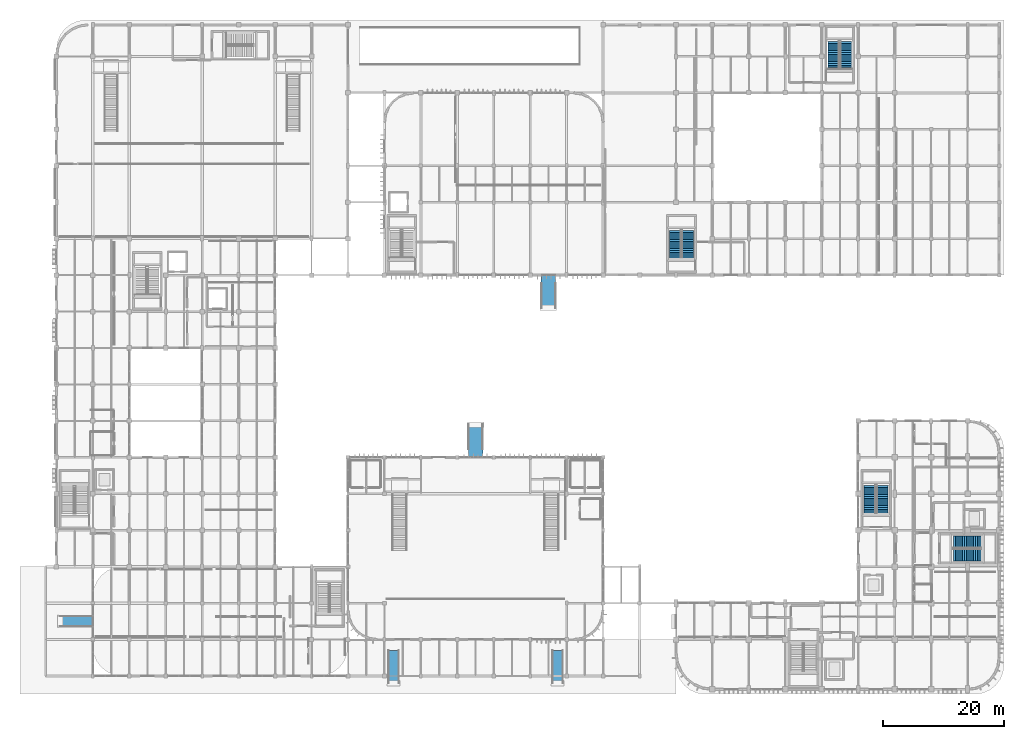
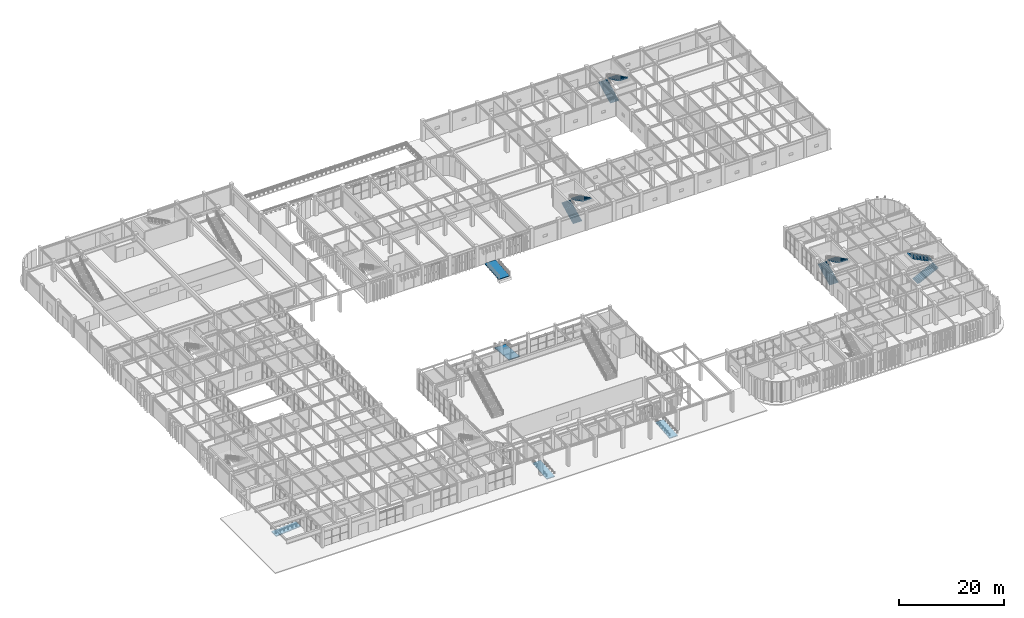
# One storey, part 55 of 76: 8 stair flights, 5 ramp flights, 9 elements without a shape of their own.
"""IFC4 building model written with IfcOpenShell, lengths in metres."""

import ifcopenshell
import ifcopenshell.guid

model = None  # the IFC model being written
_history = None  # IfcOwnerHistory: only IFC2X3 demands one
_inside = {}  # id of a spatial element -> (the spatial element, [elements in it])
_under = {}  # id of a project, library or spatial element -> (it, [spatial elements below it])
_declared = {}  # id of a project -> (the project, [libraries it declares])
_typed = {}  # id of a type object -> (the type object, [elements of that type])
_made_of = {}  # id of a material, layer set ... -> (it, [elements and type objects made of it])


def new_model(schema):
    """Start an empty IFC model of exactly this schema.

    Asked for "IFC4X3", IfcOpenShell would pick the latest addendum, in which some entities
    have other attributes; the version numbers below select the first issue.
    IFC2X3 requires an IfcOwnerHistory on every rooted entity: one is made here for all.
    """
    global model, _history
    if schema == "IFC4X3":
        model = ifcopenshell.file(schema_version=(4, 3, 0, 0))
    else:
        model = ifcopenshell.file(schema=schema)
    _inside.clear()
    _under.clear()
    _declared.clear()
    _typed.clear()
    _made_of.clear()
    _history = None
    if model.schema == "IFC2X3":
        org = make("IfcOrganization", Name="unknown")
        user = make(
            "IfcPersonAndOrganization",
            ThePerson=make("IfcPerson", FamilyName="unknown"),
            TheOrganization=org,
        )
        app = make(
            "IfcApplication",
            ApplicationDeveloper=org,
            Version="unknown",
            ApplicationFullName="unknown",
            ApplicationIdentifier="unknown",
        )
        _history = make(
            "IfcOwnerHistory",
            OwningUser=user,
            OwningApplication=app,
            ChangeAction="ADDED",
            CreationDate=0,
        )
    return model


def make(cls, **values):
    """One entity of the class cls with the attributes given. An attribute that is None is left unset."""
    return model.create_entity(
        cls, **{name: value for name, value in values.items() if value is not None}
    )


def rooted(cls, **values):
    """An entity with a GlobalId (a new one), such as an element, a storey or a relation."""
    return make(cls, GlobalId=ifcopenshell.guid.new(), OwnerHistory=_history, **values)


def si_unit(unit_type, name, prefix=None):
    """IfcSIUnit, for example si_unit("LENGTHUNIT", "METRE", prefix="MILLI")."""
    return make("IfcSIUnit", UnitType=unit_type, Prefix=prefix, Name=name)


def assignment(units):
    """IfcUnitAssignment: the units of a project."""
    return None if units is None else make("IfcUnitAssignment", Units=units)


def point(xyz):
    """IfcCartesianPoint."""
    return None if xyz is None else make("IfcCartesianPoint", Coordinates=xyz)


def direction(xyz):
    """IfcDirection."""
    return None if xyz is None else make("IfcDirection", DirectionRatios=xyz)


def frame(location, z_axis=None, x_axis=None):
    """IfcAxis2Placement3D, a coordinate frame: its origin and axes. An axis left out is left unset."""
    return make(
        "IfcAxis2Placement3D",
        Location=point(location),
        Axis=direction(z_axis),
        RefDirection=direction(x_axis),
    )


def origin():
    """The frame at (0, 0, 0) with its axes left unset."""
    return frame((0.0, 0.0, 0.0))


def place(relative_to, where):
    """IfcLocalPlacement: puts the frame where relative to a parent placement (None: the world)."""
    return make(
        "IfcLocalPlacement", PlacementRelTo=relative_to, RelativePlacement=where
    )


def context(
    kind, dimensions, precision=None, world=None, true_north=None, identifier=None
):
    """IfcGeometricRepresentationContext, for example the 3D "Model" context."""
    return make(
        "IfcGeometricRepresentationContext",
        ContextIdentifier=identifier,
        ContextType=kind,
        CoordinateSpaceDimension=dimensions,
        Precision=precision,
        WorldCoordinateSystem=world,
        TrueNorth=true_north,
    )


def subcontext(parent, identifier, kind, view, scale=None):
    """IfcGeometricRepresentationSubContext, for example "Body" below "Model"."""
    return make(
        "IfcGeometricRepresentationSubContext",
        ContextIdentifier=identifier,
        ContextType=kind,
        ParentContext=parent,
        TargetScale=scale,
        TargetView=view,
    )


def project(units=None, contexts=None):
    """IfcProject with its units and contexts."""
    return rooted(
        "IfcProject",
        Name="project",
        RepresentationContexts=contexts,
        UnitsInContext=assignment(units),
    )


def spatial(cls, under=None, at=None, **own):
    """A site, building, storey or space (cls), placed at a placement, below another one or the project."""
    s = rooted(cls, ObjectPlacement=at, **own)
    if under is not None:
        _under.setdefault(under.id(), (under, []))[1].append(s)
    return s


def polyline(points):
    """IfcPolyline through the points."""
    return make("IfcPolyline", Points=[point(p) for p in points])


def outline(outer, holes=None, kind="AREA"):
    """IfcArbitraryClosedProfileDef: a profile drawn as a closed curve; with holes, ...WithVoids."""
    if holes is None:
        return make("IfcArbitraryClosedProfileDef", ProfileType=kind, OuterCurve=outer)
    return make(
        "IfcArbitraryProfileDefWithVoids",
        ProfileType=kind,
        OuterCurve=outer,
        InnerCurves=holes,
    )


def extrude(swept, where, along, depth):
    """IfcExtrudedAreaSolid: the profile swept, set in the frame where, extruded along a direction by depth."""
    return make(
        "IfcExtrudedAreaSolid",
        SweptArea=swept,
        Position=where,
        ExtrudedDirection=direction(along),
        Depth=depth,
    )


def shape(context_of_items, identifier, shape_type, items):
    """IfcShapeRepresentation: the items that make up one representation, for example the "Body"."""
    return make(
        "IfcShapeRepresentation",
        ContextOfItems=context_of_items,
        RepresentationIdentifier=identifier,
        RepresentationType=shape_type,
        Items=items,
    )


def material(Name=None, Category=None):
    """IfcMaterial."""
    return make("IfcMaterial", Name=Name, Category=Category)


def layer(
    of_material, thickness, ventilated=None, Name=None, Category=None, Priority=None
):
    """IfcMaterialLayer: one layer of a wall or slab, of a material (None: an air gap)."""
    return make(
        "IfcMaterialLayer",
        Material=of_material,
        LayerThickness=thickness,
        IsVentilated=ventilated,
        Name=Name,
        Category=Category,
        Priority=Priority,
    )


def layer_set(layers, Name=None):
    """IfcMaterialLayerSet."""
    return make("IfcMaterialLayerSet", MaterialLayers=layers, LayerSetName=Name)


def made_of(thing, what):
    """Note that an element or type object is made of a material, layer set ...; save() writes the relation."""
    if what is not None:
        _made_of.setdefault(what.id(), (what, []))[1].append(thing)
    return thing


def type_object(cls, material=None, **own):
    """A type object (cls), such as IfcWallType, which elements share."""
    return made_of(rooted(cls, **own), material)


def element(
    cls,
    number,
    at=None,
    inside=None,
    cuts=None,
    type_object=None,
    material=None,
    context=None,
    identifier="Body",
    shape_type=None,
    held_by="IfcProductDefinitionShape",
    body=None,
    shapes=None,
    **own,
):
    """One element of the class cls, such as IfcWall. Its Tag is "e" and its number.

    at: its placement. inside: the storey or other place that contains it. cuts: it is an
    opening in that element (IfcRelVoidsElement). A single representation is given by context,
    identifier, shape_type and body (its items); several are given by shapes. held_by: the class
    of the entity that holds the representations. save() writes the other relations.
    """
    e = rooted(cls, Tag="e%d" % number, ObjectPlacement=at, **own)
    if body is not None:
        shapes = [shape(context, identifier, shape_type, body)]
    if shapes is not None:
        e.Representation = make(held_by, Representations=shapes)
    if inside is not None:
        _inside.setdefault(inside.id(), (inside, []))[1].append(e)
    if cuts is not None:
        rooted(
            "IfcRelVoidsElement", RelatingBuildingElement=cuts, RelatedOpeningElement=e
        )
    if type_object is not None:
        _typed.setdefault(type_object.id(), (type_object, []))[1].append(e)
    return made_of(e, material)


def aggregate(whole, parts):
    """IfcRelAggregates: a whole, such as a stair, and the parts it consists of."""
    return rooted("IfcRelAggregates", RelatingObject=whole, RelatedObjects=parts)


def save(model, path):
    """Write the relations noted so far, then the file.

    IfcRelAggregates (storeys below a building ...), IfcRelContainedInSpatialStructure (elements
    in a storey), IfcRelDefinesByType, IfcRelAssociatesMaterial and IfcRelDeclares: one each for
    every whole, place, type object, material and project.
    """
    for whole, parts in _under.values():
        aggregate(whole, parts)
    for where, things in _inside.values():
        rooted(
            "IfcRelContainedInSpatialStructure",
            RelatedElements=things,
            RelatingStructure=where,
        )
    for kind, things in _typed.values():
        rooted("IfcRelDefinesByType", RelatedObjects=things, RelatingType=kind)
    for what, things in _made_of.values():
        rooted("IfcRelAssociatesMaterial", RelatedObjects=things, RelatingMaterial=what)
    for by, libraries in _declared.values():
        rooted("IfcRelDeclares", RelatingContext=by, RelatedDefinitions=libraries)
    model.write(path)


model = new_model("IFC4")

# Units and contexts
model_context = context("Model", 3, precision=1e-05, world=origin(), true_north=direction((0.0, 1.0)))
body_context = subcontext(model_context, "Body", "Model", "MODEL_VIEW")
ifc_project = project(units=[si_unit("LENGTHUNIT", "METRE"), si_unit("AREAUNIT", "SQUARE_METRE"), si_unit("VOLUMEUNIT", "CUBIC_METRE"), si_unit("PLANEANGLEUNIT", "RADIAN"), si_unit("MASSUNIT", "GRAM", prefix="KILO")], contexts=[model_context])

# Site, building, storey
site_placement = place(None, origin())
site = spatial("IfcSite", under=ifc_project, at=site_placement, CompositionType="ELEMENT")
building_placement = place(site_placement, origin())
building = spatial("IfcBuilding", under=site, at=building_placement, Name="Varnakota Square Police Headquarters", CompositionType="ELEMENT")
storey_placement = place(building_placement, origin())
storey = spatial("IfcBuildingStorey", under=building, at=storey_placement, Name="L00", CompositionType="ELEMENT", Elevation=0.0)

# Stair, stair flights
ifc_material = material(Name="Concrete M40", Category="concrete")
stair_type_1 = type_object("IfcStairType", Name="STR-DOG-1850", PredefinedType="USERDEFINED", material=ifc_material)
stair_1_placement = place(storey_placement, origin())
stair_1 = element("IfcStair", 1, at=stair_1_placement, inside=storey, type_object=stair_type_1, Name="Protected exit stair ST8 (L00)", ObjectType="TWO_RETURN_STAIR", PredefinedType="USERDEFINED")
stair_flight_type_1 = type_object("IfcStairFlightType", Name="SFL-DOG-1850", PredefinedType="STRAIGHT", material=ifc_material)
stair_flight_1_placement = place(storey_placement, frame((133.945068359375, 102.949951171875, 0.0), z_axis=(0.0, 0.0, 1.0), x_axis=(0.0, 1.0, 0.0)))
stair_flight_1 = element("IfcStairFlight", 2, at=stair_flight_1_placement, type_object=stair_flight_type_1, Name="ST8-L00 flight 1", NumberOfRisers=16, NumberOfTreads=15, PredefinedType="STRAIGHT", RiserHeight=0.15, TreadLength=0.3, context=body_context, shape_type="SweptSolid", body=[
    extrude(outline(polyline([(0.0, 0.0), (0.0, 0.14990234375), (0.300048828125, 0.14990234375), (0.300048828125, 0.300048828125), (0.60009765625, 0.300048828125), (0.60009765625, 0.449951171875), (0.900146484375, 0.449951171875), (0.900146484375, 0.60009765625), (1.2001953125, 0.60009765625), (1.2001953125, 0.75), (1.500244140625, 0.75), (1.500244140625, 0.89990234375), (1.80029296875, 0.89990234375), (1.80029296875, 1.050048828125), (2.100341796875, 1.050048828125), (2.100341796875, 1.199951171875), (2.400390625, 1.199951171875), (2.400390625, 1.35009765625), (2.700439453125, 1.35009765625), (2.700439453125, 1.5), (3.00048828125, 1.5), (3.00048828125, 1.64990234375), (3.300537109375, 1.64990234375), (3.300537109375, 1.800048828125), (3.6005859375, 1.800048828125), (3.6005859375, 1.949951171875), (3.900634765625, 1.949951171875), (3.900634765625, 2.10009765625), (4.20068359375, 2.10009765625), (4.20068359375, 2.25), (4.500732421875, 2.25), (4.500732421875, 2.39990234375), (4.500732421875, 2.048828125), (0.40234375, 0.0), (0.0, 0.0)])), frame((0.0, 0.925048828125, 0.0), z_axis=(0.0, -1.0, 0.0), x_axis=(1.0, 0.0, 0.0)), (0.0, 0.0, 1.0), 1.85009765625),
])
stair_flight_2_placement = place(storey_placement, frame((135.955078125, 107.45068359375, 2.39990234375), z_axis=(0.0, 0.0, 1.0), x_axis=(0.0, -1.0, 0.0)))
stair_flight_2 = element("IfcStairFlight", 3, at=stair_flight_2_placement, type_object=stair_flight_type_1, Name="ST8-L00 flight 2", NumberOfRisers=16, NumberOfTreads=15, PredefinedType="STRAIGHT", RiserHeight=0.15, TreadLength=0.3, context=body_context, shape_type="SweptSolid", body=[
    extrude(outline(polyline([(0.0, 0.0), (0.0, 0.14990234375), (0.300048828125, 0.14990234375), (0.300048828125, 0.300048828125), (0.60009765625, 0.300048828125), (0.60009765625, 0.449951171875), (0.900146484375, 0.449951171875), (0.900146484375, 0.60009765625), (1.2001953125, 0.60009765625), (1.2001953125, 0.75), (1.500244140625, 0.75), (1.500244140625, 0.89990234375), (1.80029296875, 0.89990234375), (1.80029296875, 1.050048828125), (2.100341796875, 1.050048828125), (2.100341796875, 1.199951171875), (2.400390625, 1.199951171875), (2.400390625, 1.35009765625), (2.700439453125, 1.35009765625), (2.700439453125, 1.5), (3.00048828125, 1.5), (3.00048828125, 1.64990234375), (3.300537109375, 1.64990234375), (3.300537109375, 1.800048828125), (3.6005859375, 1.800048828125), (3.6005859375, 1.949951171875), (3.900634765625, 1.949951171875), (3.900634765625, 2.10009765625), (4.20068359375, 2.10009765625), (4.20068359375, 2.25), (4.500732421875, 2.25), (4.500732421875, 2.39990234375), (4.500732421875, 2.048828125), (0.40234375, 0.0), (0.0, 0.0)])), frame((0.0, 0.925048828125, 0.0), z_axis=(0.0, -1.0, 0.0), x_axis=(1.0, 0.0, 0.0)), (0.0, 0.0, 1.0), 1.85009765625),
])
aggregate(stair_1, [stair_flight_1, stair_flight_2])

stair_type_2 = type_object("IfcStairType", Name="STR-DOG-1900", PredefinedType="USERDEFINED", material=ifc_material)
stair_2_placement = place(storey_placement, origin())
stair_2 = element("IfcStair", 4, at=stair_2_placement, inside=storey, type_object=stair_type_2, Name="Protected exit stair ST3 (L00)", ObjectType="TWO_RETURN_STAIR", PredefinedType="USERDEFINED")
stair_flight_type_2 = type_object("IfcStairFlightType", Name="SFL-DOG-1900", PredefinedType="STRAIGHT", material=ifc_material)
stair_flight_3_placement = place(storey_placement, frame((139.919921875, 29.85009765625, 0.0), z_axis=(0.0, 0.0, 1.0), x_axis=(0.0, 1.0, 0.0)))
stair_flight_3 = element("IfcStairFlight", 5, at=stair_flight_3_placement, type_object=stair_flight_type_2, Name="ST3-L00 flight 1", NumberOfRisers=16, NumberOfTreads=15, PredefinedType="STRAIGHT", RiserHeight=0.15, TreadLength=0.3, context=body_context, shape_type="SweptSolid", body=[
    extrude(outline(polyline([(0.0, 0.0), (0.0, 0.14990234375), (0.300048828125, 0.14990234375), (0.300048828125, 0.300048828125), (0.60009765625, 0.300048828125), (0.60009765625, 0.449951171875), (0.900146484375, 0.449951171875), (0.900146484375, 0.60009765625), (1.2001953125, 0.60009765625), (1.2001953125, 0.75), (1.500244140625, 0.75), (1.500244140625, 0.89990234375), (1.80029296875, 0.89990234375), (1.80029296875, 1.050048828125), (2.100341796875, 1.050048828125), (2.100341796875, 1.199951171875), (2.400390625, 1.199951171875), (2.400390625, 1.35009765625), (2.700439453125, 1.35009765625), (2.700439453125, 1.5), (3.00048828125, 1.5), (3.00048828125, 1.64990234375), (3.300537109375, 1.64990234375), (3.300537109375, 1.800048828125), (3.6005859375, 1.800048828125), (3.6005859375, 1.949951171875), (3.900634765625, 1.949951171875), (3.900634765625, 2.10009765625), (4.20068359375, 2.10009765625), (4.20068359375, 2.25), (4.500732421875, 2.25), (4.500732421875, 2.39990234375), (4.500732421875, 2.048828125), (0.40234375, 0.0), (0.0, 0.0)])), frame((0.0, 0.949951171875, 0.0), z_axis=(0.0, -1.0, 0.0), x_axis=(1.0, 0.0, 0.0)), (0.0, 0.0, 1.0), 1.89990234375),
])
stair_flight_4_placement = place(storey_placement, frame((141.97998046875, 34.350830078125, 2.39990234375), z_axis=(0.0, 0.0, 1.0), x_axis=(0.0, -1.0, 0.0)))
stair_flight_4 = element("IfcStairFlight", 6, at=stair_flight_4_placement, type_object=stair_flight_type_2, Name="ST3-L00 flight 2", NumberOfRisers=16, NumberOfTreads=15, PredefinedType="STRAIGHT", RiserHeight=0.15, TreadLength=0.3, context=body_context, shape_type="SweptSolid", body=[
    extrude(outline(polyline([(0.0, 0.0), (0.0, 0.14990234375), (0.300048828125, 0.14990234375), (0.300048828125, 0.300048828125), (0.60009765625, 0.300048828125), (0.60009765625, 0.449951171875), (0.900146484375, 0.449951171875), (0.900146484375, 0.60009765625), (1.2001953125, 0.60009765625), (1.2001953125, 0.75), (1.500244140625, 0.75), (1.500244140625, 0.89990234375), (1.80029296875, 0.89990234375), (1.80029296875, 1.050048828125), (2.100341796875, 1.050048828125), (2.100341796875, 1.199951171875), (2.400390625, 1.199951171875), (2.400390625, 1.35009765625), (2.700439453125, 1.35009765625), (2.700439453125, 1.5), (3.00048828125, 1.5), (3.00048828125, 1.64990234375), (3.300537109375, 1.64990234375), (3.300537109375, 1.800048828125), (3.6005859375, 1.800048828125), (3.6005859375, 1.949951171875), (3.900634765625, 1.949951171875), (3.900634765625, 2.10009765625), (4.20068359375, 2.10009765625), (4.20068359375, 2.25), (4.500732421875, 2.25), (4.500732421875, 2.39990234375), (4.500732421875, 2.048828125), (0.40234375, 0.0), (0.0, 0.0)])), frame((0.0, 0.949951171875, 0.0), z_axis=(0.0, -1.0, 0.0), x_axis=(1.0, 0.0, 0.0)), (0.0, 0.0, 1.0), 1.89990234375),
])
aggregate(stair_2, [stair_flight_3, stair_flight_4])

stair_3_placement = place(storey_placement, origin())
stair_3 = element("IfcStair", 7, at=stair_3_placement, inside=storey, type_object=stair_type_2, Name="Protected exit stair ST9 (L00)", ObjectType="TWO_RETURN_STAIR", PredefinedType="USERDEFINED")
stair_flight_5_placement = place(storey_placement, frame((107.8701171875, 71.85009765625, 0.0), z_axis=(0.0, 0.0, 1.0), x_axis=(0.0, 1.0, 0.0)))
stair_flight_5 = element("IfcStairFlight", 8, at=stair_flight_5_placement, type_object=stair_flight_type_2, Name="ST9-L00 flight 1", NumberOfRisers=16, NumberOfTreads=15, PredefinedType="STRAIGHT", RiserHeight=0.15, TreadLength=0.3, context=body_context, shape_type="SweptSolid", body=[
    extrude(outline(polyline([(0.0, 0.0), (0.0, 0.14990234375), (0.300048828125, 0.14990234375), (0.300048828125, 0.300048828125), (0.60009765625, 0.300048828125), (0.60009765625, 0.449951171875), (0.900146484375, 0.449951171875), (0.900146484375, 0.60009765625), (1.2001953125, 0.60009765625), (1.2001953125, 0.75), (1.500244140625, 0.75), (1.500244140625, 0.89990234375), (1.80029296875, 0.89990234375), (1.80029296875, 1.050048828125), (2.100341796875, 1.050048828125), (2.100341796875, 1.199951171875), (2.400390625, 1.199951171875), (2.400390625, 1.35009765625), (2.700439453125, 1.35009765625), (2.700439453125, 1.5), (3.00048828125, 1.5), (3.00048828125, 1.64990234375), (3.300537109375, 1.64990234375), (3.300537109375, 1.800048828125), (3.6005859375, 1.800048828125), (3.6005859375, 1.949951171875), (3.900634765625, 1.949951171875), (3.900634765625, 2.10009765625), (4.20068359375, 2.10009765625), (4.20068359375, 2.25), (4.500732421875, 2.25), (4.500732421875, 2.39990234375), (4.500732421875, 2.048828125), (0.40234375, 0.0), (0.0, 0.0)])), frame((0.0, 0.949951171875, 0.0), z_axis=(0.0, -1.0, 0.0), x_axis=(1.0, 0.0, 0.0)), (0.0, 0.0, 1.0), 1.89990234375),
])
stair_flight_6_placement = place(storey_placement, frame((109.929931640625, 76.350830078125, 2.39990234375), z_axis=(0.0, 0.0, 1.0), x_axis=(0.0, -1.0, 0.0)))
stair_flight_6 = element("IfcStairFlight", 9, at=stair_flight_6_placement, type_object=stair_flight_type_2, Name="ST9-L00 flight 2", NumberOfRisers=16, NumberOfTreads=15, PredefinedType="STRAIGHT", RiserHeight=0.15, TreadLength=0.3, context=body_context, shape_type="SweptSolid", body=[
    extrude(outline(polyline([(0.0, 0.0), (0.0, 0.14990234375), (0.300048828125, 0.14990234375), (0.300048828125, 0.300048828125), (0.60009765625, 0.300048828125), (0.60009765625, 0.449951171875), (0.900146484375, 0.449951171875), (0.900146484375, 0.60009765625), (1.2001953125, 0.60009765625), (1.2001953125, 0.75), (1.500244140625, 0.75), (1.500244140625, 0.89990234375), (1.80029296875, 0.89990234375), (1.80029296875, 1.050048828125), (2.100341796875, 1.050048828125), (2.100341796875, 1.199951171875), (2.400390625, 1.199951171875), (2.400390625, 1.35009765625), (2.700439453125, 1.35009765625), (2.700439453125, 1.5), (3.00048828125, 1.5), (3.00048828125, 1.64990234375), (3.300537109375, 1.64990234375), (3.300537109375, 1.800048828125), (3.6005859375, 1.800048828125), (3.6005859375, 1.949951171875), (3.900634765625, 1.949951171875), (3.900634765625, 2.10009765625), (4.20068359375, 2.10009765625), (4.20068359375, 2.25), (4.500732421875, 2.25), (4.500732421875, 2.39990234375), (4.500732421875, 2.048828125), (0.40234375, 0.0), (0.0, 0.0)])), frame((0.0, 0.949951171875, 0.0), z_axis=(0.0, -1.0, 0.0), x_axis=(1.0, 0.0, 0.0)), (0.0, 0.0, 1.0), 1.89990234375),
])
aggregate(stair_3, [stair_flight_5, stair_flight_6])

stair_type_3 = type_object("IfcStairType", Name="STR-DOG-2000", PredefinedType="USERDEFINED", material=ifc_material)
stair_4_placement = place(storey_placement, origin())
stair_4 = element("IfcStair", 10, at=stair_4_placement, inside=storey, type_object=stair_type_3, Name="Protected exit stair ST2 (L00)", ObjectType="TWO_RETURN_STAIR", PredefinedType="USERDEFINED")
stair_flight_type_3 = type_object("IfcStairFlightType", Name="SFL-DOG-2000", PredefinedType="STRAIGHT", material=ifc_material)
stair_flight_7_placement = place(storey_placement, frame((153.699951171875, 22.919921875, 0.0), z_axis=(0.0, 0.0, 1.0), x_axis=(1.0, 0.0, 0.0)))
stair_flight_7 = element("IfcStairFlight", 11, at=stair_flight_7_placement, type_object=stair_flight_type_3, Name="ST2-L00 flight 1", NumberOfRisers=16, NumberOfTreads=15, PredefinedType="STRAIGHT", RiserHeight=0.15, TreadLength=0.3, context=body_context, shape_type="SweptSolid", body=[
    extrude(outline(polyline([(0.0, 0.0), (0.0, 0.14990234375), (0.300048828125, 0.14990234375), (0.300048828125, 0.300048828125), (0.60009765625, 0.300048828125), (0.60009765625, 0.449951171875), (0.900146484375, 0.449951171875), (0.900146484375, 0.60009765625), (1.2001953125, 0.60009765625), (1.2001953125, 0.75), (1.500244140625, 0.75), (1.500244140625, 0.89990234375), (1.80029296875, 0.89990234375), (1.80029296875, 1.050048828125), (2.100341796875, 1.050048828125), (2.100341796875, 1.199951171875), (2.400390625, 1.199951171875), (2.400390625, 1.35009765625), (2.700439453125, 1.35009765625), (2.700439453125, 1.5), (3.00048828125, 1.5), (3.00048828125, 1.64990234375), (3.300537109375, 1.64990234375), (3.300537109375, 1.800048828125), (3.6005859375, 1.800048828125), (3.6005859375, 1.949951171875), (3.900634765625, 1.949951171875), (3.900634765625, 2.10009765625), (4.20068359375, 2.10009765625), (4.20068359375, 2.25), (4.500732421875, 2.25), (4.500732421875, 2.39990234375), (4.500732421875, 2.048828125), (0.40234375, 0.0), (0.0, 0.0)])), frame((0.0, 1.0, 0.0), z_axis=(0.0, -1.0, 0.0), x_axis=(1.0, 0.0, 0.0)), (0.0, 0.0, 1.0), 2.0),
])
stair_flight_8_placement = place(storey_placement, frame((158.20068359375, 25.080078125, 2.39990234375), z_axis=(0.0, 0.0, 1.0), x_axis=(-1.0, 0.0, 0.0)))
stair_flight_8 = element("IfcStairFlight", 12, at=stair_flight_8_placement, type_object=stair_flight_type_3, Name="ST2-L00 flight 2", NumberOfRisers=16, NumberOfTreads=15, PredefinedType="STRAIGHT", RiserHeight=0.15, TreadLength=0.3, context=body_context, shape_type="SweptSolid", body=[
    extrude(outline(polyline([(0.0, 0.0), (0.0, 0.14990234375), (0.300048828125, 0.14990234375), (0.300048828125, 0.300048828125), (0.60009765625, 0.300048828125), (0.60009765625, 0.449951171875), (0.900146484375, 0.449951171875), (0.900146484375, 0.60009765625), (1.2001953125, 0.60009765625), (1.2001953125, 0.75), (1.500244140625, 0.75), (1.500244140625, 0.89990234375), (1.80029296875, 0.89990234375), (1.80029296875, 1.050048828125), (2.100341796875, 1.050048828125), (2.100341796875, 1.199951171875), (2.400390625, 1.199951171875), (2.400390625, 1.35009765625), (2.700439453125, 1.35009765625), (2.700439453125, 1.5), (3.00048828125, 1.5), (3.00048828125, 1.64990234375), (3.300537109375, 1.64990234375), (3.300537109375, 1.800048828125), (3.6005859375, 1.800048828125), (3.6005859375, 1.949951171875), (3.900634765625, 1.949951171875), (3.900634765625, 2.10009765625), (4.20068359375, 2.10009765625), (4.20068359375, 2.25), (4.500732421875, 2.25), (4.500732421875, 2.39990234375), (4.500732421875, 2.048828125), (0.40234375, 0.0), (0.0, 0.0)])), frame((0.0, 1.0, 0.0), z_axis=(0.0, -1.0, 0.0), x_axis=(1.0, 0.0, 0.0)), (0.0, 0.0, 1.0), 2.0),
])
aggregate(stair_4, [stair_flight_7, stair_flight_8])

# Ramp, ramp flight
ramp_type_1 = type_object("IfcRampType", Name="RMP-ACC-1800", PredefinedType="STRAIGHT_RUN_RAMP", material=ifc_material)
ramp_1_placement = place(storey_placement, origin())
ramp_1 = element("IfcRamp", 13, at=ramp_1_placement, inside=storey, type_object=ramp_type_1, Name="Accessible entrance ramp RMP-A1", PredefinedType="STRAIGHT_RUN_RAMP")
ifc_layer_1 = layer(ifc_material, 0.199951171875, Name="Concrete M40")
ifc_layer_set_1 = layer_set([ifc_layer_1], Name="Concrete M40")
ramp_flight_type_1 = type_object("IfcRampFlightType", Name="RMF-ACC-1800", PredefinedType="STRAIGHT", material=ifc_layer_set_1)
ramp_flight_1_placement = place(storey_placement, frame((61.5, 1.800048828125, -0.449951171875), z_axis=(0.0, 0.0, 1.0), x_axis=(0.0, 1.0, 0.0)))
ramp_flight_1 = element("IfcRampFlight", 14, at=ramp_flight_1_placement, type_object=ramp_flight_type_1, Name="Accessible ramp flight RMP-A1-FL1 (1:12 slope)", PredefinedType="STRAIGHT", context=body_context, shape_type="SweptSolid", body=[
    extrude(outline(polyline([(0.0, 0.0), (5.39990234375, 0.449951171875), (5.39990234375, 0.25), (0.0, -0.199951171875), (0.0, 0.0)])), frame((0.0, 0.89990234375, 0.0), z_axis=(0.0, -1.0, 0.0), x_axis=(1.0, 0.0, 0.0)), (0.0, 0.0, 1.0), 1.800048828125),
])
aggregate(ramp_1, [ramp_flight_1])

ramp_2_placement = place(storey_placement, origin())
ramp_2 = element("IfcRamp", 15, at=ramp_2_placement, inside=storey, type_object=ramp_type_1, Name="Accessible entrance ramp RMP-A2", PredefinedType="STRAIGHT_RUN_RAMP")
ramp_flight_2_placement = place(storey_placement, frame((88.5, 1.800048828125, -0.449951171875), z_axis=(0.0, 0.0, 1.0), x_axis=(0.0, 1.0, 0.0)))
ramp_flight_2 = element("IfcRampFlight", 16, at=ramp_flight_2_placement, type_object=ramp_flight_type_1, Name="Accessible ramp flight RMP-A2-FL1 (1:12 slope)", PredefinedType="STRAIGHT", context=body_context, shape_type="SweptSolid", body=[
    extrude(outline(polyline([(0.0, 0.0), (5.39990234375, 0.449951171875), (5.39990234375, 0.25), (0.0, -0.199951171875), (0.0, 0.0)])), frame((0.0, 0.89990234375, 0.0), z_axis=(0.0, -1.0, 0.0), x_axis=(1.0, 0.0, 0.0)), (0.0, 0.0, 1.0), 1.800048828125),
])
aggregate(ramp_2, [ramp_flight_2])

ramp_3_placement = place(storey_placement, origin())
ramp_3 = element("IfcRamp", 17, at=ramp_3_placement, inside=storey, type_object=ramp_type_1, Name="Accessible entrance ramp RMP-A3", PredefinedType="STRAIGHT_RUN_RAMP")
ramp_flight_3_placement = place(storey_placement, frame((6.60009765625, 12.0, -0.449951171875), z_axis=(0.0, 0.0, 1.0), x_axis=(1.0, 0.0, 0.0)))
ramp_flight_3 = element("IfcRampFlight", 18, at=ramp_flight_3_placement, type_object=ramp_flight_type_1, Name="Accessible ramp flight RMP-A3-FL1 (1:12 slope)", PredefinedType="STRAIGHT", context=body_context, shape_type="SweptSolid", body=[
    extrude(outline(polyline([(0.0, 0.0), (5.39990234375, 0.449951171875), (5.39990234375, 0.25), (0.0, -0.199951171875), (0.0, 0.0)])), frame((0.0, 0.89990234375, 0.0), z_axis=(0.0, -1.0, 0.0), x_axis=(1.0, 0.0, 0.0)), (0.0, 0.0, 1.0), 1.800048828125),
])
aggregate(ramp_3, [ramp_flight_3])

ramp_type_2 = type_object("IfcRampType", Name="RMP-ACC-2400", PredefinedType="STRAIGHT_RUN_RAMP", material=ifc_material)
ramp_4_placement = place(storey_placement, origin())
ramp_4 = element("IfcRamp", 19, at=ramp_4_placement, inside=storey, type_object=ramp_type_2, Name="Accessible entrance ramp RMP-A4", PredefinedType="STRAIGHT_RUN_RAMP")
ifc_layer_2 = layer(ifc_material, 0.199951171875, Name="Concrete M40")
ifc_layer_set_2 = layer_set([ifc_layer_2], Name="Concrete M40")
ramp_flight_type_2 = type_object("IfcRampFlightType", Name="RMF-ACC-2400", PredefinedType="STRAIGHT", material=ifc_layer_set_2)
ramp_flight_4_placement = place(storey_placement, frame((75.0, 44.39990234375, -0.449951171875), z_axis=(0.0, 0.0, 1.0), x_axis=(0.0, -1.0, 0.0)))
ramp_flight_4 = element("IfcRampFlight", 20, at=ramp_flight_4_placement, type_object=ramp_flight_type_2, Name="Accessible ramp flight RMP-A4-FL1 (1:12 slope)", PredefinedType="STRAIGHT", context=body_context, shape_type="SweptSolid", body=[
    extrude(outline(polyline([(0.0, 0.0), (5.39990234375, 0.449951171875), (5.39990234375, 0.25), (0.0, -0.199951171875), (0.0, 0.0)])), frame((0.0, 1.199951171875, 0.0), z_axis=(0.0, -1.0, 0.0), x_axis=(1.0, 0.0, 0.0)), (0.0, 0.0, 1.0), 2.39990234375),
])
aggregate(ramp_4, [ramp_flight_4])

ramp_5_placement = place(storey_placement, origin())
ramp_5 = element("IfcRamp", 21, at=ramp_5_placement, inside=storey, type_object=ramp_type_2, Name="Accessible entrance ramp RMP-A5", PredefinedType="STRAIGHT_RUN_RAMP")
ramp_flight_5_placement = place(storey_placement, frame((87.0, 63.60009765625, -0.449951171875), z_axis=(0.0, 0.0, 1.0), x_axis=(0.0, 1.0, 0.0)))
ramp_flight_5 = element("IfcRampFlight", 22, at=ramp_flight_5_placement, type_object=ramp_flight_type_2, Name="Accessible ramp flight RMP-A5-FL1 (1:12 slope)", PredefinedType="STRAIGHT", context=body_context, shape_type="SweptSolid", body=[
    extrude(outline(polyline([(0.0, 0.0), (5.39990234375, 0.449951171875), (5.39990234375, 0.25), (0.0, -0.199951171875), (0.0, 0.0)])), frame((0.0, 1.199951171875, 0.0), z_axis=(0.0, -1.0, 0.0), x_axis=(1.0, 0.0, 0.0)), (0.0, 0.0, 1.0), 2.39990234375),
])
aggregate(ramp_5, [ramp_flight_5])

save(model, "model.ifc")
